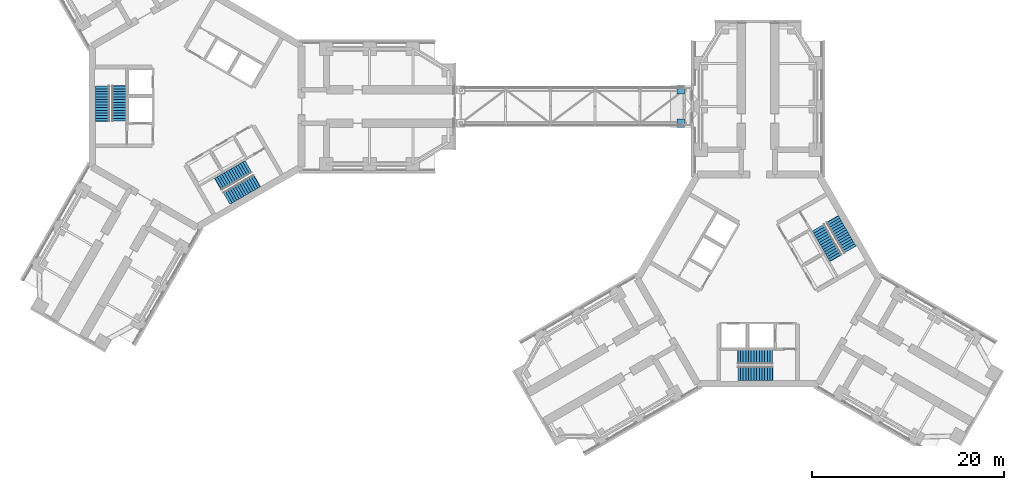
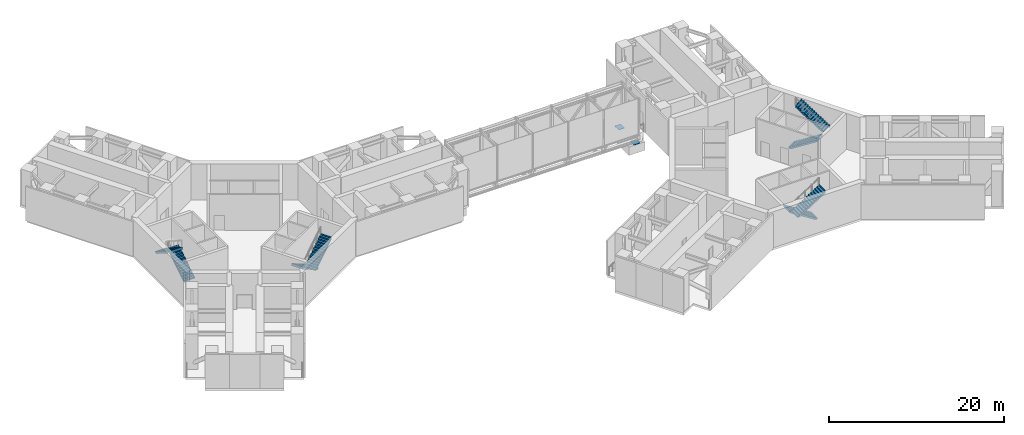
# One storey, part 12 of 17: 8 stair flights, 2 discrete accessories, 4 elements without a shape of their own.
"""IFC4 building model written with IfcOpenShell, lengths in metres."""

from ifc_helpers import new_model, si_unit, direction, frame, origin, origin_2d, place, context, subcontext, project, spatial, polyline, rectangle, outline, extrude, material, material_profile, profile_set, type_object, element, aggregate, save


model = new_model("IFC4")

# Units and contexts
model_context = context("Model", 3, precision=1e-05, world=origin(), true_north=direction((0.0, 1.0)))
body_context = subcontext(model_context, "Body", "Model", "MODEL_VIEW")
ifc_project = project(units=[si_unit("LENGTHUNIT", "METRE"), si_unit("AREAUNIT", "SQUARE_METRE"), si_unit("VOLUMEUNIT", "CUBIC_METRE"), si_unit("PLANEANGLEUNIT", "RADIAN"), si_unit("MASSUNIT", "GRAM", prefix="KILO")], contexts=[model_context])

# Site, building, storey
site_placement = place(None, origin())
site = spatial("IfcSite", under=ifc_project, at=site_placement, CompositionType="ELEMENT")
building_placement = place(site_placement, origin())
building = spatial("IfcBuilding", under=site, at=building_placement, Name="Upepo Twin Towers", CompositionType="ELEMENT")
storey_placement = place(building_placement, frame((0.0, 0.0, 92.5)))
storey = spatial("IfcBuildingStorey", under=building, at=storey_placement, Name="L22", CompositionType="ELEMENT", Elevation=92.5)

# Stair, stair flights
ifc_material_1 = material(Name="Concrete C40/50", Category="concrete")
stair_type = type_object("IfcStairType", Name="Core stair, two flights", PredefinedType="HALF_TURN_STAIR", material=ifc_material_1)
stair_1_placement = place(storey_placement, origin())
stair_1 = element("IfcStair", 1, at=stair_1_placement, inside=storey, type_object=stair_type, Name="T1 stair S1 L22", PredefinedType="HALF_TURN_STAIR")
ifc_material_2 = material(Name="Concrete C40/50", Category="concrete")
stair_flight_type = type_object("IfcStairFlightType", Name="Stair flight 1450 RC", PredefinedType="STRAIGHT", material=ifc_material_2)
stair_flight_1_placement = place(storey_placement, frame((-8.125, -1.52001953125, 0.0), z_axis=(0.0, 0.0, 1.0), x_axis=(0.0, 1.0, 0.0)))
stair_flight_1 = element("IfcStairFlight", 2, at=stair_flight_1_placement, type_object=stair_flight_type, Name="Stair S1 flight 1", NumberOfRisers=14, NumberOfTreads=13, PredefinedType="STRAIGHT", RiserHeight=0.178571429, TreadLength=0.28, context=body_context, shape_type="SweptSolid", body=[
    extrude(outline(polyline([(0.0, 0.0), (0.0, 0.178466796875), (0.280029296875, 0.178466796875), (0.280029296875, 0.357177734375), (0.56005859375, 0.357177734375), (0.56005859375, 0.53564453125), (0.840087890625, 0.53564453125), (0.840087890625, 0.71435546875), (1.1201171875, 0.71435546875), (1.1201171875, 0.892822265625), (1.39990234375, 0.892822265625), (1.39990234375, 1.071533203125), (1.679931640625, 1.071533203125), (1.679931640625, 1.25), (1.9599609375, 1.25), (1.9599609375, 1.428466796875), (2.239990234375, 1.428466796875), (2.239990234375, 1.607177734375), (2.52001953125, 1.607177734375), (2.52001953125, 1.78564453125), (2.800048828125, 1.78564453125), (2.800048828125, 1.96435546875), (3.080078125, 1.96435546875), (3.080078125, 2.142822265625), (3.360107421875, 2.142822265625), (3.360107421875, 2.321533203125), (3.639892578125, 2.321533203125), (3.639892578125, 2.5), (3.68994140625, 2.5), (3.68994140625, 2.1435546875), (0.328857421875, 0.0), (0.0, 0.0)])), frame((0.0, 0.72509765625, 0.0), z_axis=(0.0, -1.0, 0.0), x_axis=(1.0, 0.0, 0.0)), (0.0, 0.0, 1.0), 1.449951171875),
])
stair_flight_2_placement = place(storey_placement, frame((-9.833251953125, 2.1201171875, 2.5), z_axis=(0.0, 0.0, 1.0), x_axis=(0.0, -1.0, 0.0)))
stair_flight_2 = element("IfcStairFlight", 3, at=stair_flight_2_placement, type_object=stair_flight_type, Name="Stair S1 flight 2", NumberOfRisers=14, NumberOfTreads=13, PredefinedType="STRAIGHT", RiserHeight=0.178571429, TreadLength=0.28, context=body_context, shape_type="SweptSolid", body=[
    extrude(outline(polyline([(0.0, 0.0), (0.0, 0.178466796875), (0.280029296875, 0.178466796875), (0.280029296875, 0.357177734375), (0.56005859375, 0.357177734375), (0.56005859375, 0.53564453125), (0.840087890625, 0.53564453125), (0.840087890625, 0.71435546875), (1.1201171875, 0.71435546875), (1.1201171875, 0.892822265625), (1.39990234375, 0.892822265625), (1.39990234375, 1.071533203125), (1.679931640625, 1.071533203125), (1.679931640625, 1.25), (1.9599609375, 1.25), (1.9599609375, 1.428466796875), (2.239990234375, 1.428466796875), (2.239990234375, 1.607177734375), (2.52001953125, 1.607177734375), (2.52001953125, 1.78564453125), (2.800048828125, 1.78564453125), (2.800048828125, 1.96435546875), (3.080078125, 1.96435546875), (3.080078125, 2.142822265625), (3.360107421875, 2.142822265625), (3.360107421875, 2.321533203125), (3.639892578125, 2.321533203125), (3.639892578125, 2.5), (3.68994140625, 2.5), (3.68994140625, 2.1435546875), (0.328857421875, 0.0), (0.0, 0.0)])), frame((0.0, 0.72509765625, 0.0), z_axis=(0.0, -1.0, 0.0), x_axis=(1.0, 0.0, 0.0)), (0.0, 0.0, 1.0), 1.449951171875),
])
aggregate(stair_1, [stair_flight_1, stair_flight_2])

stair_2_placement = place(storey_placement, origin())
stair_2 = element("IfcStair", 4, at=stair_2_placement, inside=storey, type_object=stair_type, Name="T1 stair S2 L22", PredefinedType="HALF_TURN_STAIR")
stair_flight_3_placement = place(storey_placement, frame((5.37890625, -6.2763671875, 0.0), z_axis=(0.0, 0.0, 1.0), x_axis=(-0.866025403784, -0.5, 0.0)))
stair_flight_3 = element("IfcStairFlight", 5, at=stair_flight_3_placement, type_object=stair_flight_type, Name="Stair S2 flight 1", NumberOfRisers=14, NumberOfTreads=13, PredefinedType="STRAIGHT", RiserHeight=0.178571429, TreadLength=0.28, context=body_context, shape_type="SweptSolid", body=[
    extrude(outline(polyline([(0.0, 0.0), (0.0, 0.178466796875), (0.280029296875, 0.178466796875), (0.280029296875, 0.357177734375), (0.56005859375, 0.357177734375), (0.56005859375, 0.53564453125), (0.840087890625, 0.53564453125), (0.840087890625, 0.71435546875), (1.1201171875, 0.71435546875), (1.1201171875, 0.892822265625), (1.39990234375, 0.892822265625), (1.39990234375, 1.071533203125), (1.679931640625, 1.071533203125), (1.679931640625, 1.25), (1.9599609375, 1.25), (1.9599609375, 1.428466796875), (2.239990234375, 1.428466796875), (2.239990234375, 1.607177734375), (2.52001953125, 1.607177734375), (2.52001953125, 1.78564453125), (2.800048828125, 1.78564453125), (2.800048828125, 1.96435546875), (3.080078125, 1.96435546875), (3.080078125, 2.142822265625), (3.360107421875, 2.142822265625), (3.360107421875, 2.321533203125), (3.639892578125, 2.321533203125), (3.639892578125, 2.5), (3.68994140625, 2.5), (3.68994140625, 2.1435546875), (0.328857421875, 0.0), (0.0, 0.0)])), frame((0.0, 0.72509765625, 0.0), z_axis=(0.0, -1.0, 0.0), x_axis=(1.0, 0.0, 0.0)), (0.0, 0.0, 1.0), 1.449951171875),
])
stair_flight_4_placement = place(storey_placement, frame((3.080810546875, -9.575927734375, 2.5), z_axis=(0.0, 0.0, 1.0), x_axis=(0.866025403784, 0.5, 0.0)))
stair_flight_4 = element("IfcStairFlight", 6, at=stair_flight_4_placement, type_object=stair_flight_type, Name="Stair S2 flight 2", NumberOfRisers=14, NumberOfTreads=13, PredefinedType="STRAIGHT", RiserHeight=0.178571429, TreadLength=0.28, context=body_context, shape_type="SweptSolid", body=[
    extrude(outline(polyline([(0.0, 0.0), (0.0, 0.178466796875), (0.280029296875, 0.178466796875), (0.280029296875, 0.357177734375), (0.56005859375, 0.357177734375), (0.56005859375, 0.53564453125), (0.840087890625, 0.53564453125), (0.840087890625, 0.71435546875), (1.1201171875, 0.71435546875), (1.1201171875, 0.892822265625), (1.39990234375, 0.892822265625), (1.39990234375, 1.071533203125), (1.679931640625, 1.071533203125), (1.679931640625, 1.25), (1.9599609375, 1.25), (1.9599609375, 1.428466796875), (2.239990234375, 1.428466796875), (2.239990234375, 1.607177734375), (2.52001953125, 1.607177734375), (2.52001953125, 1.78564453125), (2.800048828125, 1.78564453125), (2.800048828125, 1.96435546875), (3.080078125, 1.96435546875), (3.080078125, 2.142822265625), (3.360107421875, 2.142822265625), (3.360107421875, 2.321533203125), (3.639892578125, 2.321533203125), (3.639892578125, 2.5), (3.68994140625, 2.5), (3.68994140625, 2.1435546875), (0.328857421875, 0.0), (0.0, 0.0)])), frame((0.0, 0.72509765625, 0.0), z_axis=(0.0, -1.0, 0.0), x_axis=(1.0, 0.0, 0.0)), (0.0, 0.0, 1.0), 1.449951171875),
])
aggregate(stair_2, [stair_flight_3, stair_flight_4])

stair_3_placement = place(storey_placement, origin())
stair_3 = element("IfcStair", 7, at=stair_3_placement, inside=storey, type_object=stair_type, Name="T2 stair S1 L22", PredefinedType="HALF_TURN_STAIR")
stair_flight_5_placement = place(storey_placement, frame((60.02001953125, -26.125, 0.0), z_axis=(0.0, 0.0, 1.0), x_axis=(-1.0, 0.0, 0.0)))
stair_flight_5 = element("IfcStairFlight", 8, at=stair_flight_5_placement, type_object=stair_flight_type, Name="Stair S1 flight 1", NumberOfRisers=14, NumberOfTreads=13, PredefinedType="STRAIGHT", RiserHeight=0.178571429, TreadLength=0.28, context=body_context, shape_type="SweptSolid", body=[
    extrude(outline(polyline([(0.0, 0.0), (0.0, 0.178466796875), (0.280029296875, 0.178466796875), (0.280029296875, 0.357177734375), (0.56005859375, 0.357177734375), (0.56005859375, 0.53564453125), (0.840087890625, 0.53564453125), (0.840087890625, 0.71435546875), (1.1201171875, 0.71435546875), (1.1201171875, 0.892822265625), (1.39990234375, 0.892822265625), (1.39990234375, 1.071533203125), (1.679931640625, 1.071533203125), (1.679931640625, 1.25), (1.9599609375, 1.25), (1.9599609375, 1.428466796875), (2.239990234375, 1.428466796875), (2.239990234375, 1.607177734375), (2.52001953125, 1.607177734375), (2.52001953125, 1.78564453125), (2.800048828125, 1.78564453125), (2.800048828125, 1.96435546875), (3.080078125, 1.96435546875), (3.080078125, 2.142822265625), (3.360107421875, 2.142822265625), (3.360107421875, 2.321533203125), (3.639892578125, 2.321533203125), (3.639892578125, 2.5), (3.68994140625, 2.5), (3.68994140625, 2.1435546875), (0.328857421875, 0.0), (0.0, 0.0)])), frame((0.0, 0.72509765625, 0.0), z_axis=(0.0, -1.0, 0.0), x_axis=(1.0, 0.0, 0.0)), (0.0, 0.0, 1.0), 1.449951171875),
])
stair_flight_6_placement = place(storey_placement, frame((56.3798828125, -27.833251953125, 2.5), z_axis=(0.0, 0.0, 1.0), x_axis=(1.0, 0.0, 0.0)))
stair_flight_6 = element("IfcStairFlight", 9, at=stair_flight_6_placement, type_object=stair_flight_type, Name="Stair S1 flight 2", NumberOfRisers=14, NumberOfTreads=13, PredefinedType="STRAIGHT", RiserHeight=0.178571429, TreadLength=0.28, context=body_context, shape_type="SweptSolid", body=[
    extrude(outline(polyline([(0.0, 0.0), (0.0, 0.178466796875), (0.280029296875, 0.178466796875), (0.280029296875, 0.357177734375), (0.56005859375, 0.357177734375), (0.56005859375, 0.53564453125), (0.840087890625, 0.53564453125), (0.840087890625, 0.71435546875), (1.1201171875, 0.71435546875), (1.1201171875, 0.892822265625), (1.39990234375, 0.892822265625), (1.39990234375, 1.071533203125), (1.679931640625, 1.071533203125), (1.679931640625, 1.25), (1.9599609375, 1.25), (1.9599609375, 1.428466796875), (2.239990234375, 1.428466796875), (2.239990234375, 1.607177734375), (2.52001953125, 1.607177734375), (2.52001953125, 1.78564453125), (2.800048828125, 1.78564453125), (2.800048828125, 1.96435546875), (3.080078125, 1.96435546875), (3.080078125, 2.142822265625), (3.360107421875, 2.142822265625), (3.360107421875, 2.321533203125), (3.639892578125, 2.321533203125), (3.639892578125, 2.5), (3.68994140625, 2.5), (3.68994140625, 2.1435546875), (0.328857421875, 0.0), (0.0, 0.0)])), frame((0.0, 0.72509765625, 0.0), z_axis=(0.0, -1.0, 0.0), x_axis=(1.0, 0.0, 0.0)), (0.0, 0.0, 1.0), 1.449951171875),
])
aggregate(stair_3, [stair_flight_5, stair_flight_6])

stair_4_placement = place(storey_placement, origin())
stair_4 = element("IfcStair", 10, at=stair_4_placement, inside=storey, type_object=stair_type, Name="T2 stair S2 L22", PredefinedType="HALF_TURN_STAIR")
stair_flight_7_placement = place(storey_placement, frame((64.7763671875, -12.62109375, 0.0), z_axis=(0.0, 0.0, 1.0), x_axis=(0.5, -0.866025403784, 0.0)))
stair_flight_7 = element("IfcStairFlight", 11, at=stair_flight_7_placement, type_object=stair_flight_type, Name="Stair S2 flight 1", NumberOfRisers=14, NumberOfTreads=13, PredefinedType="STRAIGHT", RiserHeight=0.178571429, TreadLength=0.28, context=body_context, shape_type="SweptSolid", body=[
    extrude(outline(polyline([(0.0, 0.0), (0.0, 0.178466796875), (0.280029296875, 0.178466796875), (0.280029296875, 0.357177734375), (0.56005859375, 0.357177734375), (0.56005859375, 0.53564453125), (0.840087890625, 0.53564453125), (0.840087890625, 0.71435546875), (1.1201171875, 0.71435546875), (1.1201171875, 0.892822265625), (1.39990234375, 0.892822265625), (1.39990234375, 1.071533203125), (1.679931640625, 1.071533203125), (1.679931640625, 1.25), (1.9599609375, 1.25), (1.9599609375, 1.428466796875), (2.239990234375, 1.428466796875), (2.239990234375, 1.607177734375), (2.52001953125, 1.607177734375), (2.52001953125, 1.78564453125), (2.800048828125, 1.78564453125), (2.800048828125, 1.96435546875), (3.080078125, 1.96435546875), (3.080078125, 2.142822265625), (3.360107421875, 2.142822265625), (3.360107421875, 2.321533203125), (3.639892578125, 2.321533203125), (3.639892578125, 2.5), (3.68994140625, 2.5), (3.68994140625, 2.1435546875), (0.328857421875, 0.0), (0.0, 0.0)])), frame((0.0, 0.72509765625, 0.0), z_axis=(0.0, -1.0, 0.0), x_axis=(1.0, 0.0, 0.0)), (0.0, 0.0, 1.0), 1.449951171875),
])
stair_flight_8_placement = place(storey_placement, frame((68.075927734375, -14.919189453125, 2.5), z_axis=(0.0, 0.0, 1.0), x_axis=(-0.5, 0.866025403784, 0.0)))
stair_flight_8 = element("IfcStairFlight", 12, at=stair_flight_8_placement, type_object=stair_flight_type, Name="Stair S2 flight 2", NumberOfRisers=14, NumberOfTreads=13, PredefinedType="STRAIGHT", RiserHeight=0.178571429, TreadLength=0.28, context=body_context, shape_type="SweptSolid", body=[
    extrude(outline(polyline([(0.0, 0.0), (0.0, 0.178466796875), (0.280029296875, 0.178466796875), (0.280029296875, 0.357177734375), (0.56005859375, 0.357177734375), (0.56005859375, 0.53564453125), (0.840087890625, 0.53564453125), (0.840087890625, 0.71435546875), (1.1201171875, 0.71435546875), (1.1201171875, 0.892822265625), (1.39990234375, 0.892822265625), (1.39990234375, 1.071533203125), (1.679931640625, 1.071533203125), (1.679931640625, 1.25), (1.9599609375, 1.25), (1.9599609375, 1.428466796875), (2.239990234375, 1.428466796875), (2.239990234375, 1.607177734375), (2.52001953125, 1.607177734375), (2.52001953125, 1.78564453125), (2.800048828125, 1.78564453125), (2.800048828125, 1.96435546875), (3.080078125, 1.96435546875), (3.080078125, 2.142822265625), (3.360107421875, 2.142822265625), (3.360107421875, 2.321533203125), (3.639892578125, 2.321533203125), (3.639892578125, 2.5), (3.68994140625, 2.5), (3.68994140625, 2.1435546875), (0.328857421875, 0.0), (0.0, 0.0)])), frame((0.0, 0.72509765625, 0.0), z_axis=(0.0, -1.0, 0.0), x_axis=(1.0, 0.0, 0.0)), (0.0, 0.0, 1.0), 1.449951171875),
])
aggregate(stair_4, [stair_flight_7, stair_flight_8])

# Discrete accessories
ifc_material_3 = material(Name="Steel S355 with PTFE slide", Category="steel")
ifc_material_profile = material_profile(ifc_material_3, rectangle(XDim=0.800048828125, YDim=0.89990234375, at=origin_2d()), Name="BEARING 800x900 SLIDING")
ifc_profile_set = profile_set([ifc_material_profile], Name="Steel S355 with PTFE slide")
discrete_accessory_type = type_object("IfcDiscreteAccessoryType", Name="Bridge bearing, sliding", PredefinedType="USERDEFINED", material=ifc_profile_set)
for number, where, z_axis, x_axis, name in (
    (13, (50.43994140625, 1.75, -1.1845703125), (0.0, 0.0, 1.0), (1.0, 0.0, 0.0), "BR1 sliding bearing at T2 N"),
    (14, (50.43994140625, -1.75, -1.1845703125), (0.0, 0.0, 1.0), (1.0, 0.0, 0.0), "BR1 sliding bearing at T2 S"),
):
    element("IfcDiscreteAccessory", number, at=place(storey_placement, frame(where, z_axis=z_axis, x_axis=x_axis)), inside=storey, type_object=discrete_accessory_type, Name=name, ObjectType="BEARING", PredefinedType="USERDEFINED", context=body_context, shape_type="SweptSolid", body=[
        extrude(rectangle(XDim=0.800048828125, YDim=0.89990234375, at=origin_2d()), origin(), (0.0, 0.0, 1.0), 0.045166015625),
    ])

save(model, "model.ifc")
